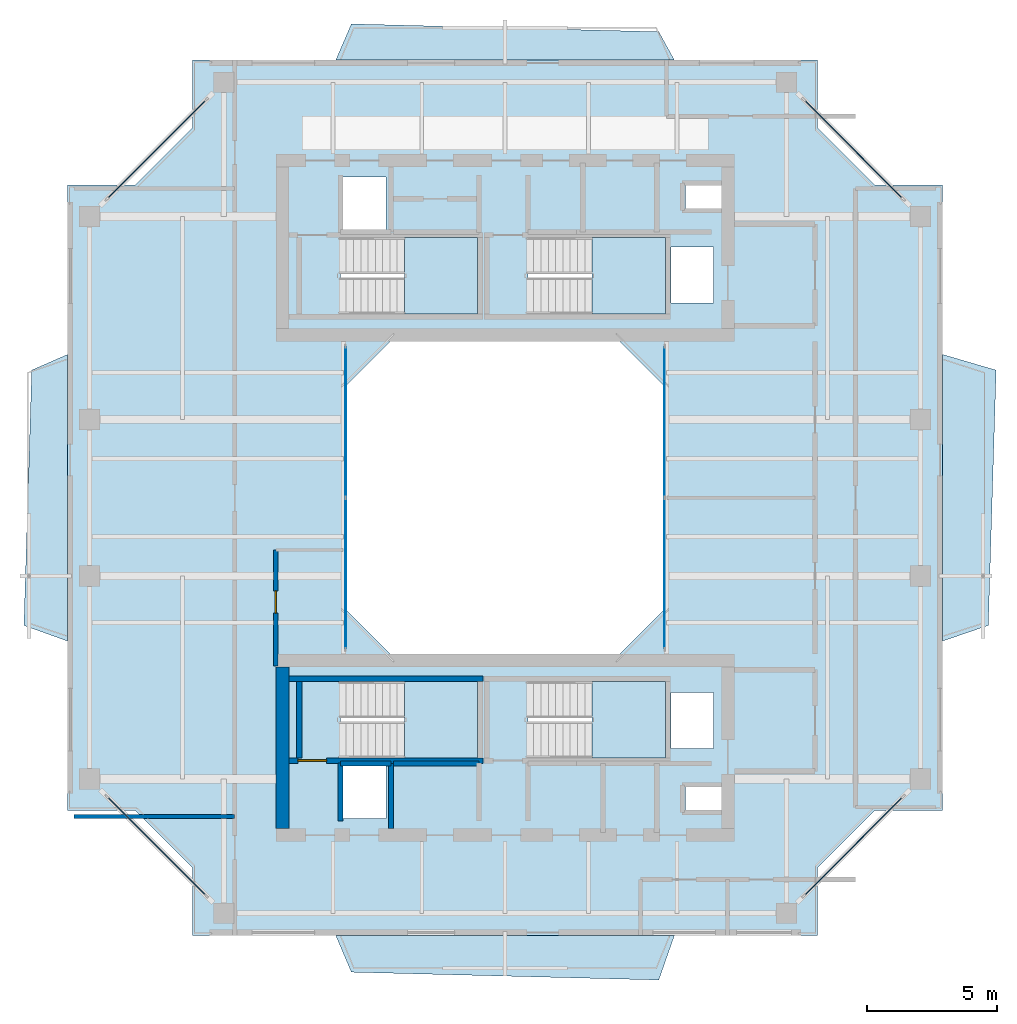
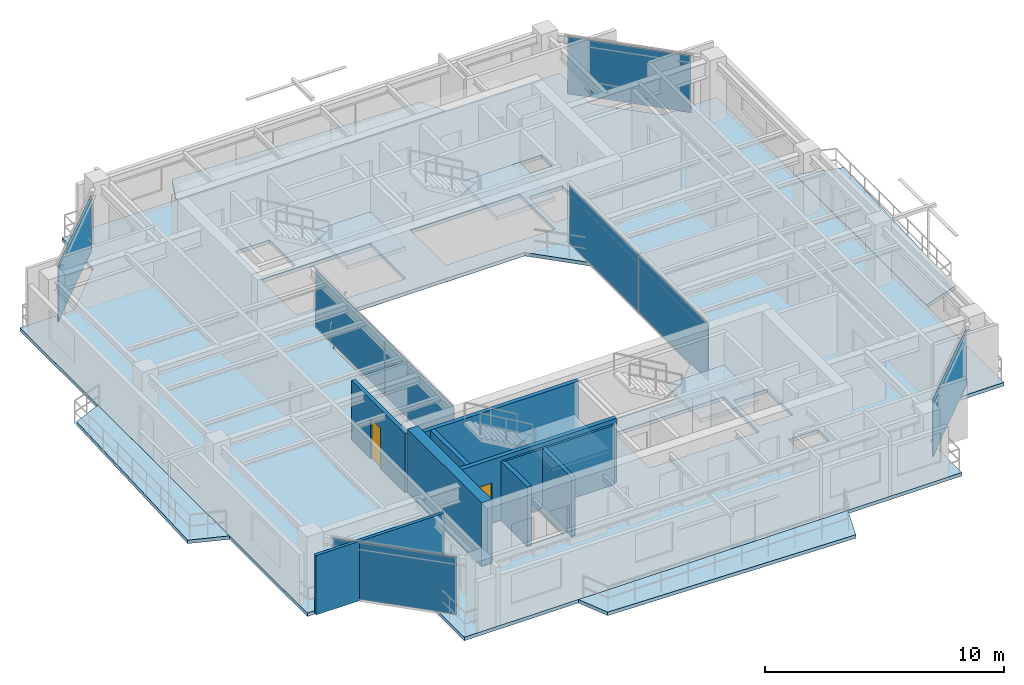
# One storey, part 9 of 16: 10 walls, 9 slabs, 8 plates, 2 doors, 2 openings, 10 elements without a shape of their own.
"""IFC4 building model written with IfcOpenShell, lengths in metres."""

from ifc_helpers import new_model, si_unit, direction, frame, frame_2d, origin, origin_2d, place, context, subcontext, project, spatial, polyline, rectangle, outline, extrude, source, transform, mapped, material, layer, layer_set, type_object, element, fill, aggregate, save


model = new_model("IFC4")

# Units and contexts
model_context = context("Model", 3, precision=1e-05, world=origin(), true_north=direction((0.0, 1.0)))
body_context = subcontext(model_context, "Body", "Model", "MODEL_VIEW")
ifc_project = project(units=[si_unit("LENGTHUNIT", "METRE"), si_unit("AREAUNIT", "SQUARE_METRE"), si_unit("VOLUMEUNIT", "CUBIC_METRE"), si_unit("PLANEANGLEUNIT", "RADIAN"), si_unit("MASSUNIT", "GRAM", prefix="KILO"), si_unit("THERMODYNAMICTEMPERATUREUNIT", "KELVIN"), si_unit("POWERUNIT", "WATT")], contexts=[model_context])

# Site, building, storey
site_placement = place(None, origin())
site = spatial("IfcSite", under=ifc_project, at=site_placement, CompositionType="ELEMENT")
building_placement = place(site_placement, origin())
building = spatial("IfcBuilding", under=site, at=building_placement, Name="Qiaomeng Ring Towers", CompositionType="ELEMENT")
storey_placement = place(building_placement, frame((0.0, 0.0, 229.5)))
storey = spatial("IfcBuildingStorey", under=building, at=storey_placement, Name="L67", CompositionType="ELEMENT", Elevation=229.5)

# Slabs
ifc_material_1 = material(Name="Concrete C40", Category="concrete")
ifc_layer_1 = layer(ifc_material_1, 0.179931640625, Name="Concrete C40")
ifc_layer_set_1 = layer_set([ifc_layer_1], Name="Concrete C40")
slab_type_1 = type_object("IfcSlabType", Name="STR-SL-180", PredefinedType="FLOOR", material=ifc_layer_set_1)
slab_1_placement = place(storey_placement, frame((0.0, 0.0, -0.179931640625)))
element("IfcSlab", 1, at=slab_1_placement, inside=storey, type_object=slab_type_1, Name="L67 Tower 1 Annular Floor Slab", PredefinedType="FLOOR", context=body_context, shape_type="SweptSolid", body=[
    extrude(outline(polyline([(7.0, 6.199951171875), (31.0, 6.199951171875), (31.0, 8.800048828125), (33.199951171875, 11.0), (35.800048828125, 11.0), (35.800048828125, 35.0), (33.199951171875, 35.0), (31.0, 37.199951171875), (31.0, 39.800048828125), (7.0, 39.800048828125), (7.0, 37.199951171875), (4.800048828125, 35.0), (2.199951171875, 35.0), (2.199951171875, 11.0), (4.800048828125, 11.0), (7.0, 8.800048828125), (7.0, 6.199951171875)]), holes=[polyline([(12.780029296875, 10.679931640625), (12.780029296875, 12.820068359375), (14.419921875, 12.820068359375), (14.419921875, 10.679931640625), (12.780029296875, 10.679931640625)]), polyline([(12.679931640625, 13.010009765625), (12.679931640625, 15.949951171875), (17.949951171875, 15.949951171875), (17.949951171875, 13.010009765625), (12.679931640625, 13.010009765625)]), polyline([(23.199951171875, 29.199951171875), (25.199951171875, 27.199951171875), (25.199951171875, 18.800048828125), (23.199951171875, 16.800048828125), (14.800048828125, 16.800048828125), (12.800048828125, 18.800048828125), (12.800048828125, 27.199951171875), (14.800048828125, 29.199951171875), (23.199951171875, 29.199951171875)]), polyline([(12.679931640625, 32.989990234375), (17.949951171875, 32.989990234375), (17.949951171875, 30.050048828125), (12.679931640625, 30.050048828125), (12.679931640625, 32.989990234375)]), polyline([(19.8798828125, 32.989990234375), (25.14990234375, 32.989990234375), (25.14990234375, 30.050048828125), (19.8798828125, 30.050048828125), (19.8798828125, 32.989990234375)]), polyline([(12.780029296875, 33.179931640625), (12.780029296875, 35.320068359375), (14.419921875, 35.320068359375), (14.419921875, 33.179931640625), (12.780029296875, 33.179931640625)]), polyline([(25.919921875, 11.89990234375), (27.360107421875, 11.89990234375), (27.360107421875, 11.0), (25.919921875, 11.0), (25.919921875, 11.89990234375)]), polyline([(25.360107421875, 15.52001953125), (27.0, 15.52001953125), (27.0, 13.3798828125), (25.360107421875, 13.3798828125), (25.360107421875, 15.52001953125)]), polyline([(19.8798828125, 13.010009765625), (19.8798828125, 15.949951171875), (25.14990234375, 15.949951171875), (25.14990234375, 13.010009765625), (19.8798828125, 13.010009765625)]), polyline([(25.360107421875, 32.6201171875), (27.0, 32.6201171875), (27.0, 30.47998046875), (25.360107421875, 30.47998046875), (25.360107421875, 32.6201171875)]), polyline([(25.919921875, 35.0), (27.360107421875, 35.0), (27.360107421875, 34.10009765625), (25.919921875, 34.10009765625), (25.919921875, 35.0)])]), origin(), (0.0, 0.0, 1.0), 0.179931640625),
])
ifc_layer_2 = layer(ifc_material_1, 0.179931640625, Name="Concrete C40")
ifc_layer_set_2 = layer_set([ifc_layer_2], Name="Concrete C40")
slab_type_2 = type_object("IfcSlabType", Name="STR-SL-BAL", PredefinedType="FLOOR", material=ifc_layer_set_2)
slab_2_placement = place(storey_placement, frame((0.0, 0.0, -0.179931640625)))
element("IfcSlab", 2, at=slab_2_placement, inside=storey, type_object=slab_type_2, Name="L67 Tower 1 S Faceted Balcony Slab", PredefinedType="FLOOR", context=body_context, shape_type="SweptSolid", body=[
    extrude(outline(polyline([(25.5, 6.199951171875), (24.89990234375, 4.489990234375), (13.10009765625, 4.7900390625), (12.5, 6.199951171875), (25.5, 6.199951171875)])), origin(), (0.0, 0.0, 1.0), 0.179931640625),
])
slab_3_placement = place(storey_placement, frame((0.0, 0.0, -0.179931640625)))
element("IfcSlab", 3, at=slab_3_placement, inside=storey, type_object=slab_type_2, Name="L67 Tower 1 E Faceted Balcony Slab", PredefinedType="FLOOR", context=body_context, shape_type="SweptSolid", body=[
    extrude(outline(polyline([(37.85009765625, 27.89990234375), (37.550048828125, 18.10009765625), (35.800048828125, 17.5), (35.800048828125, 28.5), (37.85009765625, 27.89990234375)])), origin(), (0.0, 0.0, 1.0), 0.179931640625),
])
slab_4_placement = place(storey_placement, frame((0.0, 0.0, -0.179931640625)))
element("IfcSlab", 4, at=slab_4_placement, inside=storey, type_object=slab_type_2, Name="L67 Tower 1 N Faceted Balcony Slab", PredefinedType="FLOOR", context=body_context, shape_type="SweptSolid", body=[
    extrude(outline(polyline([(12.5, 39.800048828125), (13.10009765625, 41.18994140625), (24.89990234375, 40.889892578125), (25.5, 39.800048828125), (12.5, 39.800048828125)])), origin(), (0.0, 0.0, 1.0), 0.179931640625),
])
slab_5_placement = place(storey_placement, frame((0.0, 0.0, -0.179931640625)))
element("IfcSlab", 5, at=slab_5_placement, inside=storey, type_object=slab_type_2, Name="L67 Tower 1 W Faceted Balcony Slab", PredefinedType="FLOOR", context=body_context, shape_type="SweptSolid", body=[
    extrude(outline(polyline([(0.530029296875, 18.10009765625), (0.830078125, 27.89990234375), (2.199951171875, 28.5), (2.199951171875, 17.5), (0.530029296875, 18.10009765625)])), origin(), (0.0, 0.0, 1.0), 0.179931640625),
])

# Stair, slab
ifc_material_2 = material(Name="Precast concrete C40", Category="concrete")
stair_type = type_object("IfcStairType", Name="ARC-ST-325", PredefinedType="HALF_TURN_STAIR", material=ifc_material_2)
stair_1_placement = place(storey_placement, origin())
stair_1 = element("IfcStair", 6, at=stair_1_placement, inside=storey, type_object=stair_type, Name="L67 Tower 1 North Stair 1", PredefinedType="HALF_TURN_STAIR")
ifc_layer_3 = layer(ifc_material_1, 0.199951171875, Name="Concrete C40")
ifc_layer_set_3 = layer_set([ifc_layer_3], Name="Concrete C40")
slab_type_3 = type_object("IfcSlabType", Name="STR-SL-LANDING", PredefinedType="LANDING", material=ifc_layer_set_3)
slab_6_placement = place(storey_placement, frame((0.0, 0.0, 1.425048828125)))
slab_6 = element("IfcSlab", 7, at=slab_6_placement, type_object=slab_type_3, Name="ST1 landing 1", PredefinedType="LANDING", context=body_context, shape_type="SweptSolid", body=[
    extrude(outline(polyline([(15.139892578125, 30.050048828125), (17.949951171875, 30.050048828125), (17.949951171875, 32.989990234375), (15.139892578125, 32.989990234375), (15.139892578125, 30.050048828125)])), origin(), (0.0, 0.0, 1.0), 0.199951171875),
])
aggregate(stair_1, [slab_6])

stair_2_placement = place(storey_placement, origin())
stair_2 = element("IfcStair", 8, at=stair_2_placement, inside=storey, type_object=stair_type, Name="L67 Tower 1 North Stair 2", PredefinedType="HALF_TURN_STAIR")
slab_7_placement = place(storey_placement, frame((0.0, 0.0, 1.425048828125)))
slab_7 = element("IfcSlab", 9, at=slab_7_placement, type_object=slab_type_3, Name="ST2 landing 1", PredefinedType="LANDING", context=body_context, shape_type="SweptSolid", body=[
    extrude(outline(polyline([(22.340087890625, 30.050048828125), (25.14990234375, 30.050048828125), (25.14990234375, 32.989990234375), (22.340087890625, 32.989990234375), (22.340087890625, 30.050048828125)])), origin(), (0.0, 0.0, 1.0), 0.199951171875),
])
aggregate(stair_2, [slab_7])

stair_3_placement = place(storey_placement, origin())
stair_3 = element("IfcStair", 10, at=stair_3_placement, inside=storey, type_object=stair_type, Name="L67 Tower 1 South Stair 3", PredefinedType="HALF_TURN_STAIR")
slab_8_placement = place(storey_placement, frame((0.0, 0.0, 1.425048828125)))
slab_8 = element("IfcSlab", 11, at=slab_8_placement, type_object=slab_type_3, Name="ST3 landing 1", PredefinedType="LANDING", context=body_context, shape_type="SweptSolid", body=[
    extrude(outline(polyline([(15.139892578125, 13.010009765625), (17.949951171875, 13.010009765625), (17.949951171875, 15.949951171875), (15.139892578125, 15.949951171875), (15.139892578125, 13.010009765625)])), origin(), (0.0, 0.0, 1.0), 0.199951171875),
])
aggregate(stair_3, [slab_8])

stair_4_placement = place(storey_placement, origin())
stair_4 = element("IfcStair", 12, at=stair_4_placement, inside=storey, type_object=stair_type, Name="L67 Tower 1 South Stair 4", PredefinedType="HALF_TURN_STAIR")
slab_9_placement = place(storey_placement, frame((0.0, 0.0, 1.425048828125)))
slab_9 = element("IfcSlab", 13, at=slab_9_placement, type_object=slab_type_3, Name="ST4 landing 1", PredefinedType="LANDING", context=body_context, shape_type="SweptSolid", body=[
    extrude(outline(polyline([(22.340087890625, 13.010009765625), (25.14990234375, 13.010009765625), (25.14990234375, 15.949951171875), (22.340087890625, 15.949951171875), (22.340087890625, 13.010009765625)])), origin(), (0.0, 0.0, 1.0), 0.199951171875),
])
aggregate(stair_4, [slab_9])

# Curtain wall, plates
ifc_material_3 = material(Name="Fluorocarbon dark-grey aluminium", Category="aluminium")
ifc_layer_4 = layer(ifc_material_3, 0.139892578125, Name="Fluorocarbon dark-grey aluminium")
ifc_layer_set_4 = layer_set([ifc_layer_4], Name="Fluorocarbon dark-grey aluminium")
curtain_wall_type_1 = type_object("IfcCurtainWallType", Name="ARC-CW-4", PredefinedType="NOTDEFINED", material=ifc_layer_set_4)
curtain_wall_1_placement = place(storey_placement, origin())
curtain_wall_1 = element("IfcCurtainWall", 14, at=curtain_wall_1_placement, inside=storey, type_object=curtain_wall_type_1, Name="L67 Curtain Wall CW4", PredefinedType="NOTDEFINED")
ifc_material_4 = material(Name="Low-E dark-grey laminated double glazing", Category="glass")
ifc_layer_5 = layer(ifc_material_4, 0.028076171875, Name="Low-E dark-grey laminated double glazing")
ifc_layer_set_5 = layer_set([ifc_layer_5], Name="Low-E dark-grey laminated double glazing")
plate_type = type_object("IfcPlateType", Name="ARC-CWP-DARK", PredefinedType="CURTAIN_PANEL", material=ifc_layer_set_5)
shared_shape_1 = source(origin(), body_context, "Body", "SweptSolid", [
    extrude(rectangle(XDim=5.75244140625, YDim=0.028076171875, at=origin_2d()), origin(), (0.0, 0.0, 1.0), 2.89990234375),
])
plate_1_placement = place(storey_placement, frame((12.8798828125, 20.09130859375, 0.06494140625), z_axis=(0.0, 0.0, 1.0), x_axis=(0.0, 1.0, 0.0)))
plate_1 = element("IfcPlate", 15, at=plate_1_placement, type_object=plate_type, Name="CW4 panel 1.1", PredefinedType="CURTAIN_PANEL", context=body_context, shape_type="MappedRepresentation", body=[
    mapped(shared_shape_1, transform((0.0, 0.0, 0.0), x_axis=(1.0, 0.0, 0.0), y_axis=(0.0, 1.0, 0.0), z_axis=(0.0, 0.0, 1.0), scale=1.0)),
])
plate_2_placement = place(storey_placement, frame((12.8798828125, 25.90869140625, 0.06494140625), z_axis=(0.0, 0.0, 1.0), x_axis=(0.0, 1.0, 0.0)))
plate_2 = element("IfcPlate", 16, at=plate_2_placement, type_object=plate_type, Name="CW4 panel 2.1", PredefinedType="CURTAIN_PANEL", context=body_context, shape_type="MappedRepresentation", body=[
    mapped(shared_shape_1, transform((0.0, 0.0, 0.0), x_axis=(1.0, 0.0, 0.0), y_axis=(0.0, 1.0, 0.0), z_axis=(0.0, 0.0, 1.0), scale=1.0)),
])
aggregate(curtain_wall_1, [plate_1, plate_2])

curtain_wall_2_placement = place(storey_placement, origin())
curtain_wall_2 = element("IfcCurtainWall", 17, at=curtain_wall_2_placement, inside=storey, type_object=curtain_wall_type_1, Name="L67 Curtain Wall CW4", PredefinedType="NOTDEFINED")
plate_3_placement = place(storey_placement, frame((25.1201171875, 20.09130859375, 0.06494140625), z_axis=(0.0, 0.0, 1.0), x_axis=(0.0, 1.0, 0.0)))
plate_3 = element("IfcPlate", 18, at=plate_3_placement, type_object=plate_type, Name="CW4 panel 1.1", PredefinedType="CURTAIN_PANEL", context=body_context, shape_type="MappedRepresentation", body=[
    mapped(shared_shape_1, transform((0.0, 0.0, 0.0), x_axis=(1.0, 0.0, 0.0), y_axis=(0.0, 1.0, 0.0), z_axis=(0.0, 0.0, 1.0), scale=1.0)),
])
plate_4_placement = place(storey_placement, frame((25.1201171875, 25.90869140625, 0.06494140625), z_axis=(0.0, 0.0, 1.0), x_axis=(0.0, 1.0, 0.0)))
plate_4 = element("IfcPlate", 19, at=plate_4_placement, type_object=plate_type, Name="CW4 panel 2.1", PredefinedType="CURTAIN_PANEL", context=body_context, shape_type="MappedRepresentation", body=[
    mapped(shared_shape_1, transform((0.0, 0.0, 0.0), x_axis=(1.0, 0.0, 0.0), y_axis=(0.0, 1.0, 0.0), z_axis=(0.0, 0.0, 1.0), scale=1.0)),
])
aggregate(curtain_wall_2, [plate_3, plate_4])

# Curtain wall, plate
ifc_layer_6 = layer(ifc_material_3, 0.14990234375, Name="Fluorocarbon dark-grey aluminium")
ifc_layer_set_6 = layer_set([ifc_layer_6], Name="Fluorocarbon dark-grey aluminium")
curtain_wall_type_2 = type_object("IfcCurtainWallType", Name="ARC-CW-3", PredefinedType="NOTDEFINED", material=ifc_layer_set_6)
curtain_wall_3_placement = place(storey_placement, origin())
curtain_wall_3 = element("IfcCurtainWall", 20, at=curtain_wall_3_placement, inside=storey, type_object=curtain_wall_type_2, Name="L67 Curtain Wall CW3", PredefinedType="NOTDEFINED")
shared_shape_2 = source(origin(), body_context, "Body", "SweptSolid", [
    extrude(rectangle(XDim=5.3330078125, YDim=0.028076171875, at=origin_2d()), origin(), (0.0, 0.0, 1.0), 2.89990234375),
])
plate_5_placement = place(storey_placement, frame((32.375, 9.625, 0.06494140625), z_axis=(0.0, 0.0, 1.0), x_axis=(0.707106781187, 0.707106781187, 0.0)))
plate_5 = element("IfcPlate", 21, at=plate_5_placement, type_object=plate_type, Name="CW3 panel 1.1", PredefinedType="CURTAIN_PANEL", context=body_context, shape_type="MappedRepresentation", body=[
    mapped(shared_shape_2, transform((0.0, 0.0, 0.0), x_axis=(1.0, 0.0, 0.0), y_axis=(0.0, 1.0, 0.0), z_axis=(0.0, 0.0, 1.0), scale=1.0)),
])
aggregate(curtain_wall_3, [plate_5])

curtain_wall_4_placement = place(storey_placement, origin())
curtain_wall_4 = element("IfcCurtainWall", 22, at=curtain_wall_4_placement, inside=storey, type_object=curtain_wall_type_2, Name="L67 Curtain Wall CW3", PredefinedType="NOTDEFINED")
plate_6_placement = place(storey_placement, frame((32.375, 36.375, 0.06494140625), z_axis=(0.0, 0.0, 1.0), x_axis=(-0.707106781187, 0.707106781187, 0.0)))
plate_6 = element("IfcPlate", 23, at=plate_6_placement, type_object=plate_type, Name="CW3 panel 1.1", PredefinedType="CURTAIN_PANEL", context=body_context, shape_type="MappedRepresentation", body=[
    mapped(shared_shape_2, transform((0.0, 0.0, 0.0), x_axis=(1.0, 0.0, 0.0), y_axis=(0.0, 1.0, 0.0), z_axis=(0.0, 0.0, 1.0), scale=1.0)),
])
aggregate(curtain_wall_4, [plate_6])

curtain_wall_5_placement = place(storey_placement, origin())
curtain_wall_5 = element("IfcCurtainWall", 24, at=curtain_wall_5_placement, inside=storey, type_object=curtain_wall_type_2, Name="L67 Curtain Wall CW3", PredefinedType="NOTDEFINED")
plate_7_placement = place(storey_placement, frame((5.625, 36.375, 0.06494140625), z_axis=(0.0, 0.0, 1.0), x_axis=(-0.707106781187, -0.707106781187, 0.0)))
plate_7 = element("IfcPlate", 25, at=plate_7_placement, type_object=plate_type, Name="CW3 panel 1.1", PredefinedType="CURTAIN_PANEL", context=body_context, shape_type="MappedRepresentation", body=[
    mapped(shared_shape_2, transform((0.0, 0.0, 0.0), x_axis=(1.0, 0.0, 0.0), y_axis=(0.0, 1.0, 0.0), z_axis=(0.0, 0.0, 1.0), scale=1.0)),
])
aggregate(curtain_wall_5, [plate_7])

curtain_wall_6_placement = place(storey_placement, origin())
curtain_wall_6 = element("IfcCurtainWall", 26, at=curtain_wall_6_placement, inside=storey, type_object=curtain_wall_type_2, Name="L67 Curtain Wall CW3", PredefinedType="NOTDEFINED")
plate_8_placement = place(storey_placement, frame((5.625, 9.625, 0.06494140625), z_axis=(0.0, 0.0, 1.0), x_axis=(0.707106781187, -0.707106781187, 0.0)))
plate_8 = element("IfcPlate", 27, at=plate_8_placement, type_object=plate_type, Name="CW3 panel 1.1", PredefinedType="CURTAIN_PANEL", context=body_context, shape_type="MappedRepresentation", body=[
    mapped(shared_shape_2, transform((0.0, 0.0, 0.0), x_axis=(1.0, 0.0, 0.0), y_axis=(0.0, 1.0, 0.0), z_axis=(0.0, 0.0, 1.0), scale=1.0)),
])
aggregate(curtain_wall_6, [plate_8])

# Walls
ifc_material_5 = material(Name="Autoclaved aerated concrete block", Category="concrete")
ifc_layer_7 = layer(ifc_material_5, 0.199951171875, Name="Autoclaved aerated concrete block")
ifc_layer_set_7 = layer_set([ifc_layer_7], Name="Autoclaved aerated concrete block")
wall_type_1 = type_object("IfcWallType", Name="ARC-WL-PW1", PredefinedType="PARTITIONING", material=ifc_layer_set_7)
wall_1_placement = place(storey_placement, frame((12.679931640625, 10.60009765625, 0.0), z_axis=(0.0, 0.0, 1.0), x_axis=(0.0, 1.0, 0.0)))
element("IfcWall", 28, at=wall_1_placement, inside=storey, type_object=wall_type_1, Name="L67 Interior Wall PW1", PredefinedType="PARTITIONING", context=body_context, shape_type="SweptSolid", body=[
    extrude(rectangle(XDim=2.2099609375, YDim=0.199951171875, at=frame_2d((1.10498046875, 0.0))), origin(), (0.0, 0.0, 1.0), 3.030029296875),
])
wall_2_placement = place(storey_placement, frame((14.719970703125, 12.800048828125, 0.0), z_axis=(0.0, 0.0, 1.0), x_axis=(1.0, 0.0, 0.0)))
element("IfcWall", 29, at=wall_2_placement, inside=storey, type_object=wall_type_1, Name="L67 Interior Wall PW1", PredefinedType="PARTITIONING", context=body_context, shape_type="SweptSolid", body=[
    extrude(rectangle(XDim=3.280029296875, YDim=0.199951171875, at=frame_2d((1.64013671875, 0.0))), origin(), (0.0, 0.0, 1.0), 3.030029296875),
])

# Wall, opening, door
ifc_layer_8 = layer(ifc_material_5, 0.179931640625, Name="Autoclaved aerated concrete block")
ifc_layer_set_8 = layer_set([ifc_layer_8], Name="Autoclaved aerated concrete block")
wall_type_2 = type_object("IfcWallType", Name="ARC-WL-PW2", PredefinedType="PARTITIONING", material=ifc_layer_set_8)
wall_3_placement = place(storey_placement, frame((10.199951171875, 16.550048828125, 0.0), z_axis=(0.0, 0.0, 1.0), x_axis=(0.0, 1.0, 0.0)))
wall_3 = element("IfcWall", 30, at=wall_3_placement, inside=storey, type_object=wall_type_2, Name="L67 Interior Wall PW2", PredefinedType="PARTITIONING", context=body_context, shape_type="SweptSolid", body=[
    extrude(rectangle(XDim=4.449951171875, YDim=0.179931640625, at=frame_2d((2.22509765625, 0.0))), origin(), (0.0, 0.0, 1.0), 3.030029296875),
])
opening_1_placement = place(wall_3_placement, frame((2.02490234375, 0.0, 0.0)))
opening_1 = element("IfcOpeningElement", 31, at=opening_1_placement, cuts=wall_3, Name="Opening ID2", PredefinedType="OPENING", context=body_context, shape_type="SweptSolid", body=[
    extrude(rectangle(XDim=0.85009765625, YDim=2.050048828125, at=frame_2d((0.425048828125, 1.02490234375))), frame((0.0, 0.099853515625, 0.0), z_axis=(0.0, -1.0, 0.0), x_axis=(1.0, 0.0, 0.0)), (0.0, 0.0, 1.0), 0.199951171875),
])
ifc_material_6 = material(Name="Moisture-resistant engineered timber", Category="wood")
door_type_1 = type_object("IfcDoorType", Name="ARC-DR-ID2", OperationType="NOTDEFINED", PredefinedType="DOOR", material=ifc_material_6)
shared_shape_3 = source(origin(), body_context, "Body", "SweptSolid", [
    extrude(rectangle(XDim=0.85009765625, YDim=2.050048828125, at=frame_2d((0.425048828125, 1.02490234375))), frame((0.0, 0.02490234375, 0.0), z_axis=(0.0, -1.0, 0.0), x_axis=(1.0, 0.0, 0.0)), (0.0, 0.0, 1.0), 0.050048828125),
])
door_1_placement = place(opening_1_placement, origin())
door_1 = element("IfcDoor", 32, at=door_1_placement, inside=storey, type_object=door_type_1, Name="L67 Door ID2", OperationType="SINGLE_SWING_LEFT", OverallHeight=2.050048828125, OverallWidth=0.85009765625, PredefinedType="DOOR", context=body_context, shape_type="MappedRepresentation", body=[
    mapped(shared_shape_3, transform((0.0, 0.0, 0.0), x_axis=(1.0, 0.0, 0.0), y_axis=(0.0, 1.0, 0.0), z_axis=(0.0, 0.0, 1.0), scale=1.0)),
])
fill(opening_1, door_1)

# Walls
ifc_material_7 = material(Name="Gypsum fireboard steel-stud partition", Category="steel")
ifc_layer_9 = layer(ifc_material_7, 0.14990234375, Name="Gypsum fireboard steel-stud partition")
ifc_layer_set_9 = layer_set([ifc_layer_9], Name="Gypsum fireboard steel-stud partition")
wall_type_3 = type_object("IfcWallType", Name="ARC-WL-PW3", PredefinedType="PARTITIONING", material=ifc_layer_set_9)
wall_4_placement = place(storey_placement, frame((2.449951171875, 10.77001953125, 0.0), z_axis=(0.0, 0.0, 1.0), x_axis=(1.0, 0.0, 0.0)))
element("IfcWall", 33, at=wall_4_placement, inside=storey, type_object=wall_type_3, Name="L67 Interior Wall PW3", PredefinedType="PARTITIONING", context=body_context, shape_type="SweptSolid", body=[
    extrude(rectangle(XDim=6.170166015625, YDim=0.14990234375, at=frame_2d((3.0849609375, 0.0))), origin(), (0.0, 0.0, 1.0), 3.030029296875),
])
ifc_layer_10 = layer(ifc_material_1, 0.199951171875, Name="Concrete C40")
ifc_layer_set_10 = layer_set([ifc_layer_10], Name="Concrete C40")
wall_type_4 = type_object("IfcWallType", Name="STR-WL-STSHAFT", PredefinedType="SHEAR", material=ifc_layer_set_10)
wall_5_placement = place(storey_placement, frame((12.679931640625, 12.800048828125, 0.0), z_axis=(0.0, 0.0, 1.0), x_axis=(1.0, 0.0, 0.0)))
element("IfcWall", 34, at=wall_5_placement, inside=storey, type_object=wall_type_4, Name="L67 Lift LP6 Shaft Back Wall", PredefinedType="SHEAR", context=body_context, shape_type="SweptSolid", body=[
    extrude(rectangle(XDim=1.940185546875, YDim=0.179931640625, at=frame_2d((0.97021484375, 0.0))), origin(), (0.0, 0.0, 1.0), 3.030029296875),
])
wall_6_placement = place(storey_placement, frame((14.6201171875, 10.300048828125, 0.0), z_axis=(0.0, 0.0, 1.0), x_axis=(0.0, 1.0, 0.0)))
element("IfcWall", 35, at=wall_6_placement, inside=storey, type_object=wall_type_4, Name="L67 Lift LP6-LP4 Shaft Divider Wall", PredefinedType="SHEAR", context=body_context, shape_type="SweptSolid", body=[
    extrude(rectangle(XDim=2.5, YDim=0.179931640625, at=frame_2d((1.25, 0.0))), origin(), (0.0, 0.0, 1.0), 3.030029296875),
])

# Wall, opening, door
wall_7_placement = place(storey_placement, frame((10.699951171875, 12.909912109375, 0.0), z_axis=(0.0, 0.0, 1.0), x_axis=(1.0, 0.0, 0.0)))
wall_7 = element("IfcWall", 36, at=wall_7_placement, inside=storey, type_object=wall_type_4, Name="L67 Stair ST3 South Shaft Shear Wall", PredefinedType="SHEAR", context=body_context, shape_type="SweptSolid", body=[
    extrude(rectangle(XDim=7.449951171875, YDim=0.199951171875, at=frame_2d((3.72509765625, 0.0))), origin(), (0.0, 0.0, 1.0), 3.25),
])
opening_2_placement = place(wall_7_placement, frame((0.35009765625, 0.0, 0.0)))
opening_2 = element("IfcOpeningElement", 37, at=opening_2_placement, cuts=wall_7, Name="Opening FD3", PredefinedType="OPENING", context=body_context, shape_type="SweptSolid", body=[
    extrude(rectangle(XDim=1.10009765625, YDim=2.050048828125, at=frame_2d((0.550048828125, 1.02490234375))), frame((0.0, 0.10986328125, 0.0), z_axis=(0.0, -1.0, 0.0), x_axis=(1.0, 0.0, 0.0)), (0.0, 0.0, 1.0), 0.219970703125),
])
ifc_material_8 = material(Name="Galvanised steel", Category="steel")
door_type_2 = type_object("IfcDoorType", Name="ARC-DR-FD3", OperationType="NOTDEFINED", PredefinedType="DOOR", material=ifc_material_8)
shared_shape_4 = source(origin(), body_context, "Body", "SweptSolid", [
    extrude(rectangle(XDim=1.10009765625, YDim=2.050048828125, at=frame_2d((0.550048828125, 1.02490234375))), frame((0.0, 0.02490234375, 0.0), z_axis=(0.0, -1.0, 0.0), x_axis=(1.0, 0.0, 0.0)), (0.0, 0.0, 1.0), 0.050048828125),
])
door_2_placement = place(opening_2_placement, frame((1.10009765625, 0.0, 0.0), z_axis=(0.0, 0.0, 1.0), x_axis=(-1.0, 0.0, 0.0)))
door_2 = element("IfcDoor", 38, at=door_2_placement, inside=storey, type_object=door_type_2, Name="L67 Stair ST3 Exit Door", OperationType="SINGLE_SWING_LEFT", OverallHeight=2.050048828125, OverallWidth=1.10009765625, PredefinedType="DOOR", context=body_context, shape_type="MappedRepresentation", body=[
    mapped(shared_shape_4, transform((0.0, 0.0, 0.0), x_axis=(1.0, 0.0, 0.0), y_axis=(0.0, 1.0, 0.0), z_axis=(0.0, 0.0, 1.0), scale=1.0)),
])
fill(opening_2, door_2)

# Walls
wall_8_placement = place(storey_placement, frame((10.699951171875, 16.050048828125, 0.0), z_axis=(0.0, 0.0, 1.0), x_axis=(1.0, 0.0, 0.0)))
element("IfcWall", 39, at=wall_8_placement, inside=storey, type_object=wall_type_4, Name="L67 Stair ST3 North Shaft Shear Wall", PredefinedType="SHEAR", context=body_context, shape_type="SweptSolid", body=[
    extrude(rectangle(XDim=7.449951171875, YDim=0.199951171875, at=frame_2d((3.72509765625, 0.0))), origin(), (0.0, 0.0, 1.0), 3.25),
])
wall_9_placement = place(storey_placement, frame((11.10009765625, 13.010009765625, 0.0), z_axis=(0.0, 0.0, 1.0), x_axis=(0.0, 1.0, 0.0)))
element("IfcWall", 40, at=wall_9_placement, inside=storey, type_object=wall_type_4, Name="L67 Stair ST3 West Shaft Shear Wall", PredefinedType="SHEAR", context=body_context, shape_type="SweptSolid", body=[
    extrude(rectangle(XDim=2.93994140625, YDim=0.199951171875, at=frame_2d((1.469970703125, 0.0))), origin(), (0.0, 0.0, 1.0), 3.25),
])
ifc_layer_11 = layer(ifc_material_1, 0.5, Name="Concrete C40")
ifc_layer_set_11 = layer_set([ifc_layer_11], Name="Concrete C40")
wall_type_5 = type_object("IfcWallType", Name="STR-WL-SW3", PredefinedType="SHEAR", material=ifc_layer_set_11)
wall_10_placement = place(storey_placement, frame((10.449951171875, 10.300048828125, 0.0), z_axis=(0.0, 0.0, 1.0), x_axis=(0.0, 1.0, 0.0)))
element("IfcWall", 41, at=wall_10_placement, inside=storey, type_object=wall_type_5, Name="L67 T1SC west core shear wall", PredefinedType="SHEAR", context=body_context, shape_type="SweptSolid", body=[
    extrude(rectangle(XDim=6.199951171875, YDim=0.5, at=frame_2d((3.10009765625, 0.0))), origin(), (0.0, 0.0, 1.0), 3.25),
])

save(model, "model.ifc")
